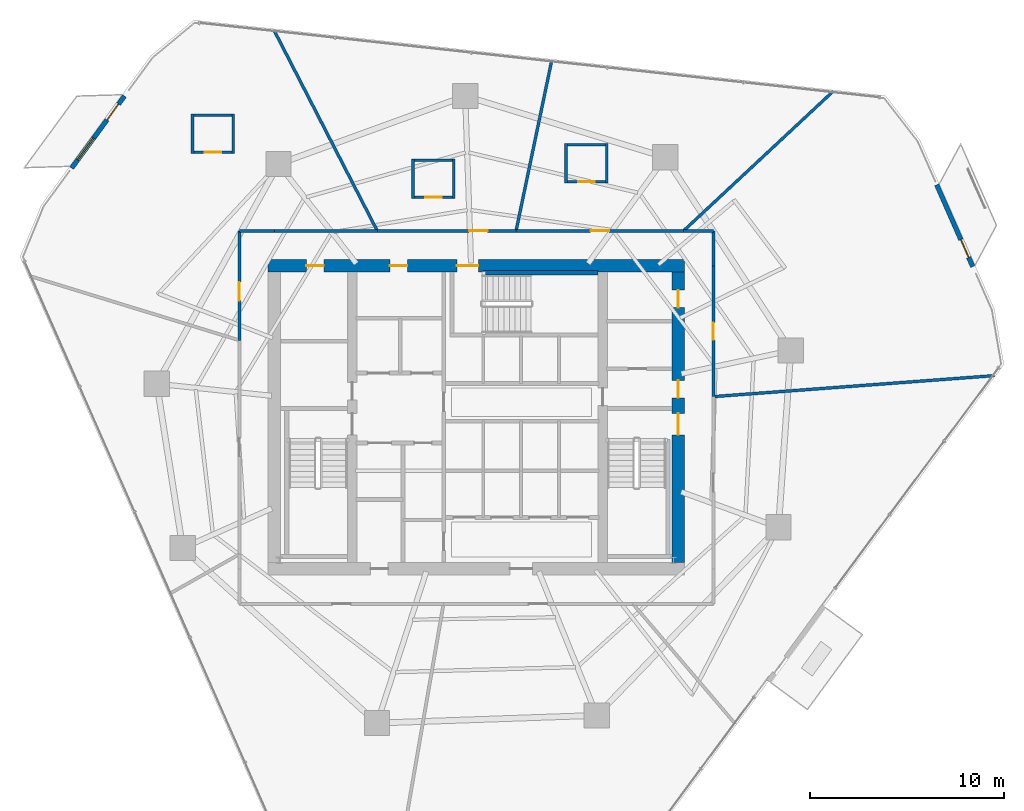
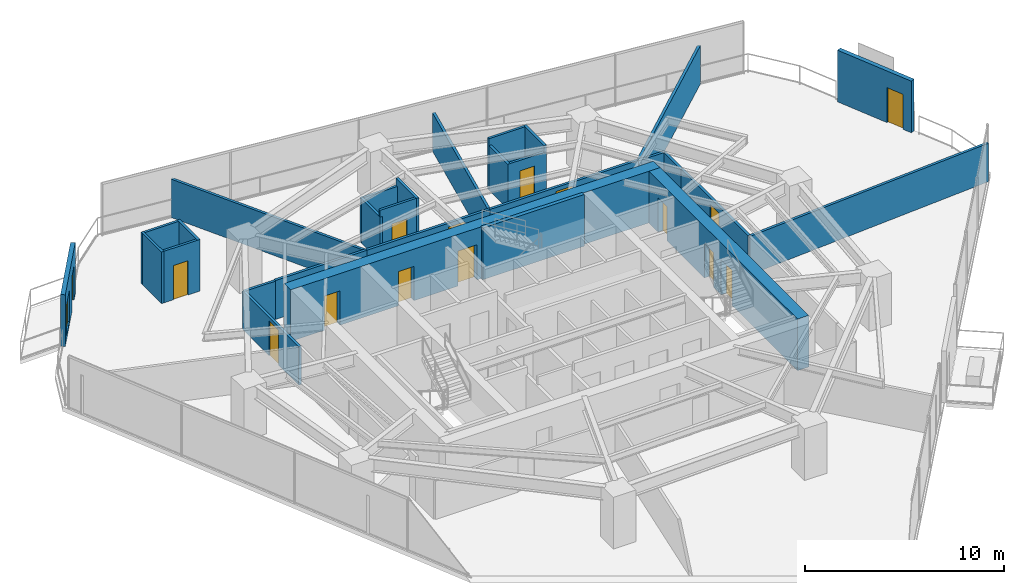
# One storey, part 25 of 28: 29 walls, 15 doors, 1 window, 16 openings.
"""IFC4 building model written with IfcOpenShell, lengths in metres."""

from ifc_helpers import new_model, si_unit, direction, frame, frame_2d, origin, place, context, subcontext, project, spatial, rectangle, extrude, material, layer, layer_set, type_object, element, fill, save


model = new_model("IFC4")

# Units and contexts
model_context = context("Model", 3, precision=1e-05, world=origin(), true_north=direction((0.0, 1.0)))
body_context = subcontext(model_context, "Body", "Model", "MODEL_VIEW")
ifc_project = project(units=[si_unit("LENGTHUNIT", "METRE"), si_unit("AREAUNIT", "SQUARE_METRE"), si_unit("VOLUMEUNIT", "CUBIC_METRE"), si_unit("PLANEANGLEUNIT", "RADIAN"), si_unit("MASSUNIT", "GRAM", prefix="KILO")], contexts=[model_context])

# Site, building, storey
site_placement = place(None, origin())
site = spatial("IfcSite", under=ifc_project, at=site_placement, CompositionType="ELEMENT")
building_placement = place(site_placement, origin())
building = spatial("IfcBuilding", under=site, at=building_placement, Name="Qarnah Convention Tower", CompositionType="ELEMENT")
storey_placement = place(building_placement, frame((0.0, 0.0, 44.25)))
storey = spatial("IfcBuildingStorey", under=building, at=storey_placement, Name="L10", CompositionType="ELEMENT", Elevation=44.25)

# Wall, openings, doors
ifc_material_1 = material(Name="Concrete C60/75", Category="concrete")
ifc_layer_1 = layer(ifc_material_1, 0.64990234375)
ifc_layer_set_1 = layer_set([ifc_layer_1], Name="Concrete C60/75")
wall_type_1 = type_object("IfcWallType", Name="WL-CORE-650", PredefinedType="SHEAR", material=ifc_layer_set_1)
wall_1_placement = place(storey_placement, frame((26.47509765625, 34.199951171875, 0.0), z_axis=(0.0, 0.0, 1.0), x_axis=(1.0, 0.0, 0.0)))
wall_1 = element("IfcWall", 1, at=wall_1_placement, inside=storey, type_object=wall_type_1, Name="L10 core north shear wall", PredefinedType="SHEAR", context=body_context, shape_type="SweptSolid", body=[
    extrude(rectangle(XDim=21.449951171875, YDim=0.64990234375, at=frame_2d((10.72509765625, 0.0))), origin(), (0.0, 0.0, 1.0), 3.169921875),
])
opening_1_placement = place(wall_1_placement, frame((9.72509765625, 0.0, 0.0)))
opening_1 = element("IfcOpeningElement", 2, at=opening_1_placement, cuts=wall_1, Name="Opening D-1003", PredefinedType="OPENING", context=body_context, shape_type="SweptSolid", body=[
    extrude(rectangle(XDim=1.10009765625, YDim=2.14990234375, at=frame_2d((0.550048828125, 1.074951171875))), frame((0.0, 0.3349609375, 0.0), z_axis=(0.0, -1.0, 0.0), x_axis=(1.0, 0.0, 0.0)), (0.0, 0.0, 1.0), 0.669921875),
])
opening_2_placement = place(wall_1_placement, frame((1.97509765625, 0.0, 0.0)))
opening_2 = element("IfcOpeningElement", 3, at=opening_2_placement, cuts=wall_1, Name="Opening D-1009", PredefinedType="OPENING", context=body_context, shape_type="SweptSolid", body=[
    extrude(rectangle(XDim=0.89990234375, YDim=2.10009765625, at=frame_2d((0.449951171875, 1.050048828125))), frame((0.0, 0.3349609375, 0.0), z_axis=(0.0, -1.0, 0.0), x_axis=(1.0, 0.0, 0.0)), (0.0, 0.0, 1.0), 0.669921875),
])
opening_3_placement = place(wall_1_placement, frame((6.27490234375, 0.0, 0.0)))
opening_3 = element("IfcOpeningElement", 4, at=opening_3_placement, cuts=wall_1, Name="Opening D-1010", PredefinedType="OPENING", context=body_context, shape_type="SweptSolid", body=[
    extrude(rectangle(XDim=0.89990234375, YDim=2.10009765625, at=frame_2d((0.449951171875, 1.050048828125))), frame((0.0, 0.3349609375, 0.0), z_axis=(0.0, -1.0, 0.0), x_axis=(1.0, 0.0, 0.0)), (0.0, 0.0, 1.0), 0.669921875),
])
ifc_material_2 = material(Name="Structural steel S355JR", Category="steel")
door_type_1 = type_object("IfcDoorType", Name="DT-RISER-900", OperationType="NOTDEFINED", PredefinedType="DOOR", material=ifc_material_2)
door_1_placement = place(opening_2_placement, origin())
door_1 = element("IfcDoor", 5, at=door_1_placement, inside=storey, type_object=door_type_1, Name="Door D-1009", OperationType="SINGLE_SWING_LEFT", OverallHeight=2.10009765625, OverallWidth=0.89990234375, PredefinedType="DOOR", context=body_context, shape_type="SweptSolid", body=[
    extrude(rectangle(XDim=0.89990234375, YDim=2.10009765625, at=frame_2d((0.449951171875, 1.050048828125))), frame((0.0, 0.02490234375, 0.0), z_axis=(0.0, -1.0, 0.0), x_axis=(1.0, 0.0, 0.0)), (0.0, 0.0, 1.0), 0.050048828125),
])
fill(opening_2, door_1)
door_2_placement = place(opening_3_placement, origin())
door_2 = element("IfcDoor", 6, at=door_2_placement, inside=storey, type_object=door_type_1, Name="Door D-1010", OperationType="SINGLE_SWING_RIGHT", OverallHeight=2.10009765625, OverallWidth=0.89990234375, PredefinedType="DOOR", context=body_context, shape_type="SweptSolid", body=[
    extrude(rectangle(XDim=0.89990234375, YDim=2.10009765625, at=frame_2d((0.449951171875, 1.050048828125))), frame((0.0, 0.02490234375, 0.0), z_axis=(0.0, -1.0, 0.0), x_axis=(1.0, 0.0, 0.0)), (0.0, 0.0, 1.0), 0.050048828125),
])
fill(opening_3, door_2)
door_type_2 = type_object("IfcDoorType", Name="DT-STAIR-1100", OperationType="NOTDEFINED", PredefinedType="DOOR", material=ifc_material_2)
door_3_placement = place(opening_1_placement, origin())
door_3 = element("IfcDoor", 7, at=door_3_placement, inside=storey, type_object=door_type_2, Name="Door D-1003", OperationType="SINGLE_SWING_LEFT", OverallHeight=2.14990234375, OverallWidth=1.10009765625, PredefinedType="DOOR", context=body_context, shape_type="SweptSolid", body=[
    extrude(rectangle(XDim=1.10009765625, YDim=2.14990234375, at=frame_2d((0.550048828125, 1.074951171875))), frame((0.0, 0.02490234375, 0.0), z_axis=(0.0, -1.0, 0.0), x_axis=(1.0, 0.0, 0.0)), (0.0, 0.0, 1.0), 0.050048828125),
])
fill(opening_1, door_3)

wall_2_placement = place(storey_placement, frame((47.60009765625, 18.925048828125, 0.0), z_axis=(0.0, 0.0, 1.0), x_axis=(0.0, 1.0, 0.0)))
wall_2 = element("IfcWall", 8, at=wall_2_placement, inside=storey, type_object=wall_type_1, Name="L10 core east shear wall", PredefinedType="SHEAR", context=body_context, shape_type="SweptSolid", body=[
    extrude(rectangle(XDim=14.949951171875, YDim=0.64990234375, at=frame_2d((7.47509765625, 0.0))), origin(), (0.0, 0.0, 1.0), 3.169921875),
])
opening_4_placement = place(wall_2_placement, frame((6.574951171875, 0.0, 0.0)))
opening_4 = element("IfcOpeningElement", 9, at=opening_4_placement, cuts=wall_2, Name="Opening D-1002", PredefinedType="OPENING", context=body_context, shape_type="SweptSolid", body=[
    extrude(rectangle(XDim=1.10009765625, YDim=2.14990234375, at=frame_2d((0.550048828125, 1.074951171875))), frame((0.0, 0.3349609375, 0.0), z_axis=(0.0, -1.0, 0.0), x_axis=(1.0, 0.0, 0.0)), (0.0, 0.0, 1.0), 0.669921875),
])
opening_5_placement = place(wall_2_placement, frame((8.47509765625, 0.0, 0.0)))
opening_5 = element("IfcOpeningElement", 10, at=opening_5_placement, cuts=wall_2, Name="Opening D-1006", PredefinedType="OPENING", context=body_context, shape_type="SweptSolid", body=[
    extrude(rectangle(XDim=0.89990234375, YDim=2.10009765625, at=frame_2d((0.449951171875, 1.050048828125))), frame((0.0, 0.3349609375, 0.0), z_axis=(0.0, -1.0, 0.0), x_axis=(1.0, 0.0, 0.0)), (0.0, 0.0, 1.0), 0.669921875),
])
opening_6_placement = place(wall_2_placement, frame((13.125, 0.0, 0.0)))
opening_6 = element("IfcOpeningElement", 11, at=opening_6_placement, cuts=wall_2, Name="Opening D-1012", PredefinedType="OPENING", context=body_context, shape_type="SweptSolid", body=[
    extrude(rectangle(XDim=0.89990234375, YDim=2.10009765625, at=frame_2d((0.449951171875, 1.050048828125))), frame((0.0, 0.3349609375, 0.0), z_axis=(0.0, -1.0, 0.0), x_axis=(1.0, 0.0, 0.0)), (0.0, 0.0, 1.0), 0.669921875),
])
door_4_placement = place(opening_5_placement, origin())
door_4 = element("IfcDoor", 12, at=door_4_placement, inside=storey, type_object=door_type_1, Name="Door D-1006", OperationType="SINGLE_SWING_RIGHT", OverallHeight=2.10009765625, OverallWidth=0.89990234375, PredefinedType="DOOR", context=body_context, shape_type="SweptSolid", body=[
    extrude(rectangle(XDim=0.89990234375, YDim=2.10009765625, at=frame_2d((0.449951171875, 1.050048828125))), frame((0.0, 0.02490234375, 0.0), z_axis=(0.0, -1.0, 0.0), x_axis=(1.0, 0.0, 0.0)), (0.0, 0.0, 1.0), 0.050048828125),
])
fill(opening_5, door_4)
door_5_placement = place(opening_6_placement, origin())
door_5 = element("IfcDoor", 13, at=door_5_placement, inside=storey, type_object=door_type_1, Name="Door D-1012", OperationType="SINGLE_SWING_RIGHT", OverallHeight=2.10009765625, OverallWidth=0.89990234375, PredefinedType="DOOR", context=body_context, shape_type="SweptSolid", body=[
    extrude(rectangle(XDim=0.89990234375, YDim=2.10009765625, at=frame_2d((0.449951171875, 1.050048828125))), frame((0.0, 0.02490234375, 0.0), z_axis=(0.0, -1.0, 0.0), x_axis=(1.0, 0.0, 0.0)), (0.0, 0.0, 1.0), 0.050048828125),
])
fill(opening_6, door_5)
door_6_placement = place(opening_4_placement, origin())
door_6 = element("IfcDoor", 14, at=door_6_placement, inside=storey, type_object=door_type_2, Name="Door D-1002", OperationType="SINGLE_SWING_RIGHT", OverallHeight=2.14990234375, OverallWidth=1.10009765625, PredefinedType="DOOR", context=body_context, shape_type="SweptSolid", body=[
    extrude(rectangle(XDim=1.10009765625, YDim=2.14990234375, at=frame_2d((0.550048828125, 1.074951171875))), frame((0.0, 0.02490234375, 0.0), z_axis=(0.0, -1.0, 0.0), x_axis=(1.0, 0.0, 0.0)), (0.0, 0.0, 1.0), 0.050048828125),
])
fill(opening_4, door_6)

# Wall
ifc_layer_2 = layer(ifc_material_1, 0.219970703125)
ifc_layer_set_2 = layer_set([ifc_layer_2], Name="Concrete C60/75")
wall_type_2 = type_object("IfcWallType", Name="WL-CORE-STAIR-220", PredefinedType="SHEAR", material=ifc_layer_set_2)
wall_3_placement = place(storey_placement, frame((37.550048828125, 33.840087890625, 0.0), z_axis=(0.0, 0.0, 1.0), x_axis=(1.0, 0.0, 0.0)))
element("IfcWall", 15, at=wall_3_placement, inside=storey, type_object=wall_type_2, Name="L10 stair shaft shear wall SW-L10-ST3N", PredefinedType="SHEAR", context=body_context, shape_type="SweptSolid", body=[
    extrude(rectangle(XDim=5.89990234375, YDim=0.219970703125, at=frame_2d((2.949951171875, 0.0))), origin(), (0.0, 0.0, 1.0), 3.169921875),
])

# Wall, opening, door
ifc_material_3 = material(Name="Precast concrete C45/55", Category="concrete")
ifc_layer_3 = layer(ifc_material_3, 0.239990234375)
ifc_layer_set_3 = layer_set([ifc_layer_3], Name="Precast concrete C45/55")
wall_type_3 = type_object("IfcWallType", Name="WL-EXT-BAL-240", PredefinedType="SOLIDWALL", material=ifc_layer_set_3)
wall_4_placement = place(storey_placement, frame((60.90087890625, 38.37109375, 0.0), z_axis=(0.0, 0.0, 1.0), x_axis=(0.402836437188, -0.915271984098, 0.0)))
wall_4 = element("IfcWall", 16, at=wall_4_placement, inside=storey, type_object=wall_type_3, Name="L10 loggia threshold wall BAL-L10-C1", PredefinedType="SOLIDWALL", context=body_context, shape_type="SweptSolid", body=[
    extrude(rectangle(XDim=4.599853515625, YDim=0.239990234375, at=frame_2d((2.2998046875, 0.0))), origin(), (0.0, 0.0, 1.0), 3.169921875),
])
opening_7_placement = place(wall_4_placement, frame((3.080078125, 0.0, 0.0)))
opening_7 = element("IfcOpeningElement", 17, at=opening_7_placement, cuts=wall_4, Name="Opening BD-1001", PredefinedType="OPENING", context=body_context, shape_type="SweptSolid", body=[
    extrude(rectangle(XDim=1.0, YDim=2.14990234375, at=frame_2d((0.5, 1.074951171875))), frame((0.0, 0.1298828125, 0.0), z_axis=(0.0, -1.0, 0.0), x_axis=(1.0, 0.0, 0.0)), (0.0, 0.0, 1.0), 0.260009765625),
])
ifc_material_4 = material(Name="Black anodised aluminium", Category="aluminium")
door_type_3 = type_object("IfcDoorType", Name="DT-BAL-1000", OperationType="NOTDEFINED", PredefinedType="DOOR", material=ifc_material_4)
door_7_placement = place(opening_7_placement, origin())
door_7 = element("IfcDoor", 18, at=door_7_placement, inside=storey, type_object=door_type_3, Name="L10 balcony terrace door BAL-L10-C1", OperationType="SINGLE_SWING_RIGHT", OverallHeight=2.14990234375, OverallWidth=1.0, PredefinedType="DOOR", context=body_context, shape_type="SweptSolid", body=[
    extrude(rectangle(XDim=1.0, YDim=2.14990234375, at=frame_2d((0.5, 1.074951171875))), frame((0.0, 0.02490234375, 0.0), z_axis=(0.0, -1.0, 0.0), x_axis=(1.0, 0.0, 0.0)), (0.0, 0.0, 1.0), 0.050048828125),
])
fill(opening_7, door_7)

# Wall, openings, door, window
wall_5_placement = place(storey_placement, frame((16.361083984375, 39.23388671875, 0.0), z_axis=(0.0, 0.0, 1.0), x_axis=(0.591244021338, 0.806492719888, 0.0)))
wall_5 = element("IfcWall", 19, at=wall_5_placement, inside=storey, type_object=wall_type_3, Name="L10 loggia threshold wall BAL-L10-C2", PredefinedType="SOLIDWALL", context=body_context, shape_type="SweptSolid", body=[
    extrude(rectangle(XDim=4.600341796875, YDim=0.239990234375, at=frame_2d((2.30029296875, 0.0))), origin(), (0.0, 0.0, 1.0), 3.169921875),
])
opening_8_placement = place(wall_5_placement, frame((3.080078125, 0.0, 0.0)))
opening_8 = element("IfcOpeningElement", 20, at=opening_8_placement, cuts=wall_5, Name="Opening BD-1002", PredefinedType="OPENING", context=body_context, shape_type="SweptSolid", body=[
    extrude(rectangle(XDim=1.0, YDim=2.14990234375, at=frame_2d((0.5, 1.074951171875))), frame((0.0, 0.1298828125, 0.0), z_axis=(0.0, -1.0, 0.0), x_axis=(1.0, 0.0, 0.0)), (0.0, 0.0, 1.0), 0.260009765625),
])
opening_9_placement = place(wall_5_placement, frame((0.52001953125, 0.0, 0.199951171875)))
opening_9 = element("IfcOpeningElement", 21, at=opening_9_placement, cuts=wall_5, Name="Opening WN4", PredefinedType="OPENING", context=body_context, shape_type="SweptSolid", body=[
    extrude(rectangle(XDim=1.39990234375, YDim=1.949951171875, at=frame_2d((0.699951171875, 0.97509765625))), frame((0.0, 0.1298828125, 0.0), z_axis=(0.0, -1.0, 0.0), x_axis=(1.0, 0.0, 0.0)), (0.0, 0.0, 1.0), 0.260009765625),
])
door_8_placement = place(opening_8_placement, origin())
door_8 = element("IfcDoor", 22, at=door_8_placement, inside=storey, type_object=door_type_3, Name="L10 balcony terrace door BAL-L10-C2", OperationType="SINGLE_SWING_LEFT", OverallHeight=2.14990234375, OverallWidth=1.0, PredefinedType="DOOR", context=body_context, shape_type="SweptSolid", body=[
    extrude(rectangle(XDim=1.0, YDim=2.14990234375, at=frame_2d((0.5, 1.074951171875))), frame((0.0, 0.02490234375, 0.0), z_axis=(0.0, -1.0, 0.0), x_axis=(1.0, 0.0, 0.0)), (0.0, 0.0, 1.0), 0.050048828125),
])
fill(opening_8, door_8)
ifc_material_5 = material(Name="Tempered Low-E dark glass", Category="glass")
window_type = type_object("IfcWindowType", Name="WT-BAL-1400X2000", PartitioningType="SINGLE_PANEL", PredefinedType="WINDOW", material=ifc_material_5)
window_placement = place(opening_9_placement, origin())
window = element("IfcWindow", 23, at=window_placement, inside=storey, type_object=window_type, Name="Window BW-BAL-L10-C2", OverallHeight=1.949951171875, OverallWidth=1.39990234375, PartitioningType="SINGLE_PANEL", PredefinedType="WINDOW", context=body_context, shape_type="SweptSolid", body=[
    extrude(rectangle(XDim=1.39990234375, YDim=1.949951171875, at=frame_2d((0.699951171875, 0.97509765625))), frame((0.0, 0.030029296875, 0.0), z_axis=(0.0, -1.0, 0.0), x_axis=(1.0, 0.0, 0.0)), (0.0, 0.0, 1.0), 0.06005859375),
])
fill(opening_9, window)

# Walls
ifc_material_6 = material(Name="Gypsum partition board")
ifc_layer_4 = layer(ifc_material_6, 0.14990234375)
ifc_layer_set_4 = layer_set([ifc_layer_4], Name="Gypsum partition board")
wall_type_4 = type_object("IfcWallType", Name="WL-SUITE-150", PredefinedType="PARTITIONING", material=ifc_layer_set_4)
wall_6_placement = place(storey_placement, frame((55.576904296875, 43.197021484375, 0.0), z_axis=(0.0, 0.0, 1.0), x_axis=(-0.731220688759, -0.68214097101, 0.0)))
element("IfcWall", 24, at=wall_6_placement, inside=storey, type_object=wall_type_4, Name="L10 interior wall IW-L10-R-13", PredefinedType="PARTITIONING", context=body_context, shape_type="SweptSolid", body=[
    extrude(rectangle(XDim=10.550537109375, YDim=0.14990234375, at=frame_2d((5.275390625, 0.0))), origin(), (0.0, 0.0, 1.0), 2.35498046875),
])
wall_7_placement = place(storey_placement, frame((47.862060546875, 36.0, 0.0), z_axis=(0.0, 0.0, 1.0), x_axis=(1.0, 0.0, 0.0)))
element("IfcWall", 25, at=wall_7_placement, inside=storey, type_object=wall_type_4, Name="L10 interior wall IW-L10-R-14", PredefinedType="PARTITIONING", context=body_context, shape_type="SweptSolid", body=[
    extrude(rectangle(XDim=1.537841796875, YDim=0.14990234375, at=frame_2d((0.76904296875, 0.0))), origin(), (0.0, 0.0, 1.0), 2.35498046875),
])
wall_8_placement = place(storey_placement, frame((49.39990234375, 36.0, 0.0), z_axis=(0.0, 0.0, 1.0), x_axis=(0.0, -1.0, 0.0)))
element("IfcWall", 26, at=wall_8_placement, inside=storey, type_object=wall_type_4, Name="L10 interior wall IW-L10-R-15", PredefinedType="PARTITIONING", context=body_context, shape_type="SweptSolid", body=[
    extrude(rectangle(XDim=1.800048828125, YDim=0.14990234375, at=frame_2d((0.89990234375, 0.0))), origin(), (0.0, 0.0, 1.0), 2.35498046875),
])

# Wall, opening, door
wall_9_placement = place(storey_placement, frame((49.39990234375, 34.199951171875, 0.0), z_axis=(0.0, 0.0, 1.0), x_axis=(0.0, -1.0, 0.0)))
wall_9 = element("IfcWall", 27, at=wall_9_placement, inside=storey, type_object=wall_type_4, Name="L10 interior wall IW-L10-R-16", PredefinedType="PARTITIONING", context=body_context, shape_type="SweptSolid", body=[
    extrude(rectangle(XDim=6.73291015625, YDim=0.14990234375, at=frame_2d((3.366455078125, 0.0))), origin(), (0.0, 0.0, 1.0), 2.39501953125),
])
opening_10_placement = place(wall_9_placement, frame((2.9169921875, 0.0, 0.0)))
opening_10 = element("IfcOpeningElement", 28, at=opening_10_placement, cuts=wall_9, Name="Opening D-1016", PredefinedType="OPENING", context=body_context, shape_type="SweptSolid", body=[
    extrude(rectangle(XDim=0.89990234375, YDim=2.0, at=frame_2d((0.449951171875, 1.0))), frame((0.0, 0.0849609375, 0.0), z_axis=(0.0, -1.0, 0.0), x_axis=(1.0, 0.0, 0.0)), (0.0, 0.0, 1.0), 0.169921875),
])
door_type_4 = type_object("IfcDoorType", Name="DT-PLANT-900", OperationType="NOTDEFINED", PredefinedType="DOOR", material=ifc_material_2)
door_9_placement = place(opening_10_placement, origin())
door_9 = element("IfcDoor", 29, at=door_9_placement, inside=storey, type_object=door_type_4, Name="Door D-1016", OperationType="SINGLE_SWING_RIGHT", OverallHeight=2.0, OverallWidth=0.89990234375, PredefinedType="DOOR", context=body_context, shape_type="SweptSolid", body=[
    extrude(rectangle(XDim=0.89990234375, YDim=2.0, at=frame_2d((0.449951171875, 1.0))), frame((0.0, 0.02490234375, 0.0), z_axis=(0.0, -1.0, 0.0), x_axis=(1.0, 0.0, 0.0)), (0.0, 0.0, 1.0), 0.050048828125),
])
fill(opening_10, door_9)

# Walls
wall_10_placement = place(storey_placement, frame((49.39990234375, 27.467041015625, 0.0), z_axis=(0.0, 0.0, 1.0), x_axis=(0.99722357963, 0.074465644633, 0.0)))
element("IfcWall", 30, at=wall_10_placement, inside=storey, type_object=wall_type_4, Name="L10 interior wall IW-L10-R-17", PredefinedType="PARTITIONING", context=body_context, shape_type="SweptSolid", body=[
    extrude(rectangle(XDim=14.50439453125, YDim=0.14990234375, at=frame_2d((7.252197265625, 0.0))), origin(), (0.0, 0.0, 1.0), 2.35498046875),
])
wall_11_placement = place(storey_placement, frame((41.074951171875, 44.762939453125, 0.0), z_axis=(0.0, 0.0, 1.0), x_axis=(-0.204850395251, -0.978793295628, 0.0)))
element("IfcWall", 31, at=wall_11_placement, inside=storey, type_object=wall_type_4, Name="L10 interior wall IW-L10-R-18", PredefinedType="PARTITIONING", context=body_context, shape_type="SweptSolid", body=[
    extrude(rectangle(XDim=8.952880859375, YDim=0.14990234375, at=frame_2d((4.4765625, 0.0))), origin(), (0.0, 0.0, 1.0), 2.35498046875),
])

# Wall, opening, door
wall_12_placement = place(storey_placement, frame((39.240966796875, 36.0, 0.0), z_axis=(0.0, 0.0, 1.0), x_axis=(1.0, 0.0, 0.0)))
wall_12 = element("IfcWall", 32, at=wall_12_placement, inside=storey, type_object=wall_type_4, Name="L10 interior wall IW-L10-R-19", PredefinedType="PARTITIONING", context=body_context, shape_type="SweptSolid", body=[
    extrude(rectangle(XDim=8.62109375, YDim=0.14990234375, at=frame_2d((4.310546875, 0.0))), origin(), (0.0, 0.0, 1.0), 2.39501953125),
])
opening_11_placement = place(wall_12_placement, frame((3.8359375, 0.0, 0.0)))
opening_11 = element("IfcOpeningElement", 33, at=opening_11_placement, cuts=wall_12, Name="Opening D-1017", PredefinedType="OPENING", context=body_context, shape_type="SweptSolid", body=[
    extrude(rectangle(XDim=0.949951171875, YDim=2.14990234375, at=frame_2d((0.47509765625, 1.074951171875))), frame((0.0, 0.0849609375, 0.0), z_axis=(0.0, -1.0, 0.0), x_axis=(1.0, 0.0, 0.0)), (0.0, 0.0, 1.0), 0.169921875),
])
ifc_material_7 = material(Name="Oak timber veneer", Category="wood")
door_type_5 = type_object("IfcDoorType", Name="DT-HOTEL-950", OperationType="NOTDEFINED", PredefinedType="DOOR", material=ifc_material_7)
door_10_placement = place(opening_11_placement, origin())
door_10 = element("IfcDoor", 34, at=door_10_placement, inside=storey, type_object=door_type_5, Name="Door D-1017", OperationType="SINGLE_SWING_LEFT", OverallHeight=2.14990234375, OverallWidth=0.949951171875, PredefinedType="DOOR", context=body_context, shape_type="SweptSolid", body=[
    extrude(rectangle(XDim=0.949951171875, YDim=2.14990234375, at=frame_2d((0.47509765625, 1.074951171875))), frame((0.0, 0.02490234375, 0.0), z_axis=(0.0, -1.0, 0.0), x_axis=(1.0, 0.0, 0.0)), (0.0, 0.0, 1.0), 0.050048828125),
])
fill(opening_11, door_10)

# Wall
wall_13_placement = place(storey_placement, frame((26.77490234375, 46.339111328125, 0.0), z_axis=(0.0, 0.0, 1.0), x_axis=(0.457605596429, -0.889155283467, 0.0)))
element("IfcWall", 35, at=wall_13_placement, inside=storey, type_object=wall_type_4, Name="L10 interior wall IW-L10-R-20", PredefinedType="PARTITIONING", context=body_context, shape_type="SweptSolid", body=[
    extrude(rectangle(XDim=11.6279296875, YDim=0.14990234375, at=frame_2d((5.81396484375, 0.0))), origin(), (0.0, 0.0, 1.0), 2.35498046875),
])

# Wall, opening, door
wall_14_placement = place(storey_placement, frame((32.095947265625, 36.0, 0.0), z_axis=(0.0, 0.0, 1.0), x_axis=(1.0, 0.0, 0.0)))
wall_14 = element("IfcWall", 36, at=wall_14_placement, inside=storey, type_object=wall_type_4, Name="L10 interior wall IW-L10-R-21", PredefinedType="PARTITIONING", context=body_context, shape_type="SweptSolid", body=[
    extrude(rectangle(XDim=7.14501953125, YDim=0.14990234375, at=frame_2d((3.572509765625, 0.0))), origin(), (0.0, 0.0, 1.0), 2.39501953125),
])
opening_12_placement = place(wall_14_placement, frame((4.72998046875, 0.0, 0.0)))
opening_12 = element("IfcOpeningElement", 37, at=opening_12_placement, cuts=wall_14, Name="Opening D-1019", PredefinedType="OPENING", context=body_context, shape_type="SweptSolid", body=[
    extrude(rectangle(XDim=0.949951171875, YDim=2.14990234375, at=frame_2d((0.47509765625, 1.074951171875))), frame((0.0, 0.0849609375, 0.0), z_axis=(0.0, -1.0, 0.0), x_axis=(1.0, 0.0, 0.0)), (0.0, 0.0, 1.0), 0.169921875),
])
door_11_placement = place(opening_12_placement, origin())
door_11 = element("IfcDoor", 38, at=door_11_placement, inside=storey, type_object=door_type_5, Name="Door D-1019", OperationType="SINGLE_SWING_LEFT", OverallHeight=2.14990234375, OverallWidth=0.949951171875, PredefinedType="DOOR", context=body_context, shape_type="SweptSolid", body=[
    extrude(rectangle(XDim=0.949951171875, YDim=2.14990234375, at=frame_2d((0.47509765625, 1.074951171875))), frame((0.0, 0.02490234375, 0.0), z_axis=(0.0, -1.0, 0.0), x_axis=(1.0, 0.0, 0.0)), (0.0, 0.0, 1.0), 0.050048828125),
])
fill(opening_12, door_11)

wall_15_placement = place(storey_placement, frame((25.0, 30.364013671875, 0.0), z_axis=(0.0, 0.0, 1.0), x_axis=(0.0, 1.0, 0.0)))
wall_15 = element("IfcWall", 39, at=wall_15_placement, inside=storey, type_object=wall_type_4, Name="L10 interior wall IW-L10-R-23", PredefinedType="PARTITIONING", context=body_context, shape_type="SweptSolid", body=[
    extrude(rectangle(XDim=5.635986328125, YDim=0.14990234375, at=frame_2d((2.81787109375, 0.0))), origin(), (0.0, 0.0, 1.0), 2.35498046875),
])
opening_13_placement = place(wall_15_placement, frame((2.04296875, 0.0, 0.0)))
opening_13 = element("IfcOpeningElement", 40, at=opening_13_placement, cuts=wall_15, Name="Opening D-1021", PredefinedType="OPENING", context=body_context, shape_type="SweptSolid", body=[
    extrude(rectangle(XDim=0.949951171875, YDim=2.14990234375, at=frame_2d((0.47509765625, 1.074951171875))), frame((0.0, 0.0849609375, 0.0), z_axis=(0.0, -1.0, 0.0), x_axis=(1.0, 0.0, 0.0)), (0.0, 0.0, 1.0), 0.169921875),
])
door_12_placement = place(opening_13_placement, origin())
door_12 = element("IfcDoor", 41, at=door_12_placement, inside=storey, type_object=door_type_5, Name="Door D-1021", OperationType="SINGLE_SWING_LEFT", OverallHeight=2.14990234375, OverallWidth=0.949951171875, PredefinedType="DOOR", context=body_context, shape_type="SweptSolid", body=[
    extrude(rectangle(XDim=0.949951171875, YDim=2.14990234375, at=frame_2d((0.47509765625, 1.074951171875))), frame((0.0, 0.02490234375, 0.0), z_axis=(0.0, -1.0, 0.0), x_axis=(1.0, 0.0, 0.0)), (0.0, 0.0, 1.0), 0.050048828125),
])
fill(opening_13, door_12)

# Walls
wall_16_placement = place(storey_placement, frame((25.0, 36.0, 0.0), z_axis=(0.0, 0.0, 1.0), x_axis=(1.0, 0.0, 0.0)))
element("IfcWall", 42, at=wall_16_placement, inside=storey, type_object=wall_type_4, Name="L10 interior wall IW-L10-R-24", PredefinedType="PARTITIONING", context=body_context, shape_type="SweptSolid", body=[
    extrude(rectangle(XDim=1.800048828125, YDim=0.14990234375, at=frame_2d((0.89990234375, 0.0))), origin(), (0.0, 0.0, 1.0), 2.35498046875),
])
wall_17_placement = place(storey_placement, frame((26.800048828125, 36.0, 0.0), z_axis=(0.0, 0.0, 1.0), x_axis=(1.0, 0.0, 0.0)))
element("IfcWall", 43, at=wall_17_placement, inside=storey, type_object=wall_type_4, Name="L10 interior wall IW-L10-R-25", PredefinedType="PARTITIONING", context=body_context, shape_type="SweptSolid", body=[
    extrude(rectangle(XDim=5.2958984375, YDim=0.14990234375, at=frame_2d((2.64794921875, 0.0))), origin(), (0.0, 0.0, 1.0), 2.39501953125),
])

# Wall, opening, door
ifc_layer_5 = layer(ifc_material_6, 0.139892578125)
ifc_layer_set_5 = layer_set([ifc_layer_5], Name="Gypsum partition board")
wall_type_5 = type_object("IfcWallType", Name="WL-WET-140", PredefinedType="PARTITIONING", material=ifc_layer_set_5)
wall_18_placement = place(storey_placement, frame((41.738037109375, 38.535888671875, 0.0), z_axis=(0.0, 0.0, 1.0), x_axis=(1.0, 0.0, 0.0)))
wall_18 = element("IfcWall", 44, at=wall_18_placement, inside=storey, type_object=wall_type_5, Name="L10 interior wall IW-L10-ENS01-1", PredefinedType="PARTITIONING", context=body_context, shape_type="SweptSolid", body=[
    extrude(rectangle(XDim=2.239990234375, YDim=0.139892578125, at=frame_2d((1.1201171875, 0.0))), origin(), (0.0, 0.0, 1.0), 2.7470703125),
])
opening_14_placement = place(wall_18_placement, frame((0.695068359375, 0.0, 0.0)))
opening_14 = element("IfcOpeningElement", 45, at=opening_14_placement, cuts=wall_18, Name="Opening D-1018", PredefinedType="OPENING", context=body_context, shape_type="SweptSolid", body=[
    extrude(rectangle(XDim=0.85009765625, YDim=2.10009765625, at=frame_2d((0.425048828125, 1.050048828125))), frame((0.0, 0.079833984375, 0.0), z_axis=(0.0, -1.0, 0.0), x_axis=(1.0, 0.0, 0.0)), (0.0, 0.0, 1.0), 0.159912109375),
])
door_type_6 = type_object("IfcDoorType", Name="DT-BATH-850", OperationType="NOTDEFINED", PredefinedType="DOOR", material=ifc_material_7)
door_13_placement = place(opening_14_placement, origin())
door_13 = element("IfcDoor", 46, at=door_13_placement, inside=storey, type_object=door_type_6, Name="Door D-1018", OperationType="SINGLE_SWING_RIGHT", OverallHeight=2.10009765625, OverallWidth=0.85009765625, PredefinedType="DOOR", context=body_context, shape_type="SweptSolid", body=[
    extrude(rectangle(XDim=0.85009765625, YDim=2.10009765625, at=frame_2d((0.425048828125, 1.050048828125))), frame((0.0, 0.02490234375, 0.0), z_axis=(0.0, -1.0, 0.0), x_axis=(1.0, 0.0, 0.0)), (0.0, 0.0, 1.0), 0.050048828125),
])
fill(opening_14, door_13)

# Walls
wall_19_placement = place(storey_placement, frame((43.907958984375, 38.466064453125, 0.0), z_axis=(0.0, 0.0, 1.0), x_axis=(0.0, 1.0, 0.0)))
element("IfcWall", 47, at=wall_19_placement, inside=storey, type_object=wall_type_5, Name="L10 interior wall IW-L10-ENS01-2", PredefinedType="PARTITIONING", context=body_context, shape_type="SweptSolid", body=[
    extrude(rectangle(XDim=2.0400390625, YDim=0.139892578125, at=frame_2d((1.02001953125, 0.0))), origin(), (0.0, 0.0, 1.0), 3.169921875),
])
wall_20_placement = place(storey_placement, frame((43.97802734375, 40.43603515625, 0.0), z_axis=(0.0, 0.0, 1.0), x_axis=(-1.0, 0.0, 0.0)))
element("IfcWall", 48, at=wall_20_placement, inside=storey, type_object=wall_type_5, Name="L10 interior wall IW-L10-ENS01-3", PredefinedType="PARTITIONING", context=body_context, shape_type="SweptSolid", body=[
    extrude(rectangle(XDim=2.239990234375, YDim=0.139892578125, at=frame_2d((1.1201171875, 0.0))), origin(), (0.0, 0.0, 1.0), 3.169921875),
])
wall_21_placement = place(storey_placement, frame((41.80810546875, 40.506103515625, 0.0), z_axis=(0.0, 0.0, 1.0), x_axis=(0.0, -1.0, 0.0)))
element("IfcWall", 49, at=wall_21_placement, inside=storey, type_object=wall_type_5, Name="L10 interior wall IW-L10-ENS01-4", PredefinedType="PARTITIONING", context=body_context, shape_type="SweptSolid", body=[
    extrude(rectangle(XDim=2.0400390625, YDim=0.139892578125, at=frame_2d((1.02001953125, 0.0))), origin(), (0.0, 0.0, 1.0), 2.7470703125),
])

# Wall, opening, door
wall_22_placement = place(storey_placement, frame((33.864990234375, 37.73095703125, 0.0), z_axis=(0.0, 0.0, 1.0), x_axis=(1.0, 0.0, 0.0)))
wall_22 = element("IfcWall", 50, at=wall_22_placement, inside=storey, type_object=wall_type_5, Name="L10 interior wall IW-L10-ENS02-1", PredefinedType="PARTITIONING", context=body_context, shape_type="SweptSolid", body=[
    extrude(rectangle(XDim=2.239990234375, YDim=0.139892578125, at=frame_2d((1.1201171875, 0.0))), origin(), (0.0, 0.0, 1.0), 3.169921875),
])
opening_15_placement = place(wall_22_placement, frame((0.695068359375, 0.0, 0.0)))
opening_15 = element("IfcOpeningElement", 51, at=opening_15_placement, cuts=wall_22, Name="Opening D-1020", PredefinedType="OPENING", context=body_context, shape_type="SweptSolid", body=[
    extrude(rectangle(XDim=0.85009765625, YDim=2.10009765625, at=frame_2d((0.425048828125, 1.050048828125))), frame((0.0, 0.079833984375, 0.0), z_axis=(0.0, -1.0, 0.0), x_axis=(1.0, 0.0, 0.0)), (0.0, 0.0, 1.0), 0.159912109375),
])
door_14_placement = place(opening_15_placement, origin())
door_14 = element("IfcDoor", 52, at=door_14_placement, inside=storey, type_object=door_type_6, Name="Door D-1020", OperationType="SINGLE_SWING_RIGHT", OverallHeight=2.10009765625, OverallWidth=0.85009765625, PredefinedType="DOOR", context=body_context, shape_type="SweptSolid", body=[
    extrude(rectangle(XDim=0.85009765625, YDim=2.10009765625, at=frame_2d((0.425048828125, 1.050048828125))), frame((0.0, 0.02490234375, 0.0), z_axis=(0.0, -1.0, 0.0), x_axis=(1.0, 0.0, 0.0)), (0.0, 0.0, 1.0), 0.050048828125),
])
fill(opening_15, door_14)

# Walls
wall_23_placement = place(storey_placement, frame((36.034912109375, 37.660888671875, 0.0), z_axis=(0.0, 0.0, 1.0), x_axis=(0.0, 1.0, 0.0)))
element("IfcWall", 53, at=wall_23_placement, inside=storey, type_object=wall_type_5, Name="L10 interior wall IW-L10-ENS02-2", PredefinedType="PARTITIONING", context=body_context, shape_type="SweptSolid", body=[
    extrude(rectangle(XDim=2.0400390625, YDim=0.139892578125, at=frame_2d((1.02001953125, 0.0))), origin(), (0.0, 0.0, 1.0), 3.169921875),
])
wall_24_placement = place(storey_placement, frame((36.10498046875, 39.631103515625, 0.0), z_axis=(0.0, 0.0, 1.0), x_axis=(-1.0, 0.0, 0.0)))
element("IfcWall", 54, at=wall_24_placement, inside=storey, type_object=wall_type_5, Name="L10 interior wall IW-L10-ENS02-3", PredefinedType="PARTITIONING", context=body_context, shape_type="SweptSolid", body=[
    extrude(rectangle(XDim=2.239990234375, YDim=0.139892578125, at=frame_2d((1.1201171875, 0.0))), origin(), (0.0, 0.0, 1.0), 2.7470703125),
])
wall_25_placement = place(storey_placement, frame((33.93505859375, 39.700927734375, 0.0), z_axis=(0.0, 0.0, 1.0), x_axis=(0.0, -1.0, 0.0)))
element("IfcWall", 55, at=wall_25_placement, inside=storey, type_object=wall_type_5, Name="L10 interior wall IW-L10-ENS02-4", PredefinedType="PARTITIONING", context=body_context, shape_type="SweptSolid", body=[
    extrude(rectangle(XDim=2.0400390625, YDim=0.139892578125, at=frame_2d((1.02001953125, 0.0))), origin(), (0.0, 0.0, 1.0), 2.7470703125),
])

# Wall, opening, door
wall_26_placement = place(storey_placement, frame((22.513916015625, 40.055908203125, 0.0), z_axis=(0.0, 0.0, 1.0), x_axis=(1.0, 0.0, 0.0)))
wall_26 = element("IfcWall", 56, at=wall_26_placement, inside=storey, type_object=wall_type_5, Name="L10 interior wall IW-L10-ENS03-1", PredefinedType="PARTITIONING", context=body_context, shape_type="SweptSolid", body=[
    extrude(rectangle(XDim=2.239990234375, YDim=0.139892578125, at=frame_2d((1.1201171875, 0.0))), origin(), (0.0, 0.0, 1.0), 3.169921875),
])
opening_16_placement = place(wall_26_placement, frame((0.695068359375, 0.0, 0.0)))
opening_16 = element("IfcOpeningElement", 57, at=opening_16_placement, cuts=wall_26, Name="Opening D-1022", PredefinedType="OPENING", context=body_context, shape_type="SweptSolid", body=[
    extrude(rectangle(XDim=0.85009765625, YDim=2.10009765625, at=frame_2d((0.425048828125, 1.050048828125))), frame((0.0, 0.079833984375, 0.0), z_axis=(0.0, -1.0, 0.0), x_axis=(1.0, 0.0, 0.0)), (0.0, 0.0, 1.0), 0.159912109375),
])
door_15_placement = place(opening_16_placement, origin())
door_15 = element("IfcDoor", 58, at=door_15_placement, inside=storey, type_object=door_type_6, Name="Door D-1022", OperationType="SINGLE_SWING_RIGHT", OverallHeight=2.10009765625, OverallWidth=0.85009765625, PredefinedType="DOOR", context=body_context, shape_type="SweptSolid", body=[
    extrude(rectangle(XDim=0.85009765625, YDim=2.10009765625, at=frame_2d((0.425048828125, 1.050048828125))), frame((0.0, 0.02490234375, 0.0), z_axis=(0.0, -1.0, 0.0), x_axis=(1.0, 0.0, 0.0)), (0.0, 0.0, 1.0), 0.050048828125),
])
fill(opening_16, door_15)

# Walls
wall_27_placement = place(storey_placement, frame((24.68408203125, 39.986083984375, 0.0), z_axis=(0.0, 0.0, 1.0), x_axis=(0.0, 1.0, 0.0)))
element("IfcWall", 59, at=wall_27_placement, inside=storey, type_object=wall_type_5, Name="L10 interior wall IW-L10-ENS03-2", PredefinedType="PARTITIONING", context=body_context, shape_type="SweptSolid", body=[
    extrude(rectangle(XDim=2.039794921875, YDim=0.139892578125, at=frame_2d((1.02001953125, 0.0))), origin(), (0.0, 0.0, 1.0), 3.169921875),
])
wall_28_placement = place(storey_placement, frame((24.75390625, 41.9560546875, 0.0), z_axis=(0.0, 0.0, 1.0), x_axis=(-1.0, 0.0, 0.0)))
element("IfcWall", 60, at=wall_28_placement, inside=storey, type_object=wall_type_5, Name="L10 interior wall IW-L10-ENS03-3", PredefinedType="PARTITIONING", context=body_context, shape_type="SweptSolid", body=[
    extrude(rectangle(XDim=2.239990234375, YDim=0.139892578125, at=frame_2d((1.1201171875, 0.0))), origin(), (0.0, 0.0, 1.0), 3.169921875),
])
wall_29_placement = place(storey_placement, frame((22.583984375, 42.02587890625, 0.0), z_axis=(0.0, 0.0, 1.0), x_axis=(0.0, -1.0, 0.0)))
element("IfcWall", 61, at=wall_29_placement, inside=storey, type_object=wall_type_5, Name="L10 interior wall IW-L10-ENS03-4", PredefinedType="PARTITIONING", context=body_context, shape_type="SweptSolid", body=[
    extrude(rectangle(XDim=2.039794921875, YDim=0.139892578125, at=frame_2d((1.02001953125, 0.0))), origin(), (0.0, 0.0, 1.0), 3.169921875),
])

save(model, "model.ifc")
